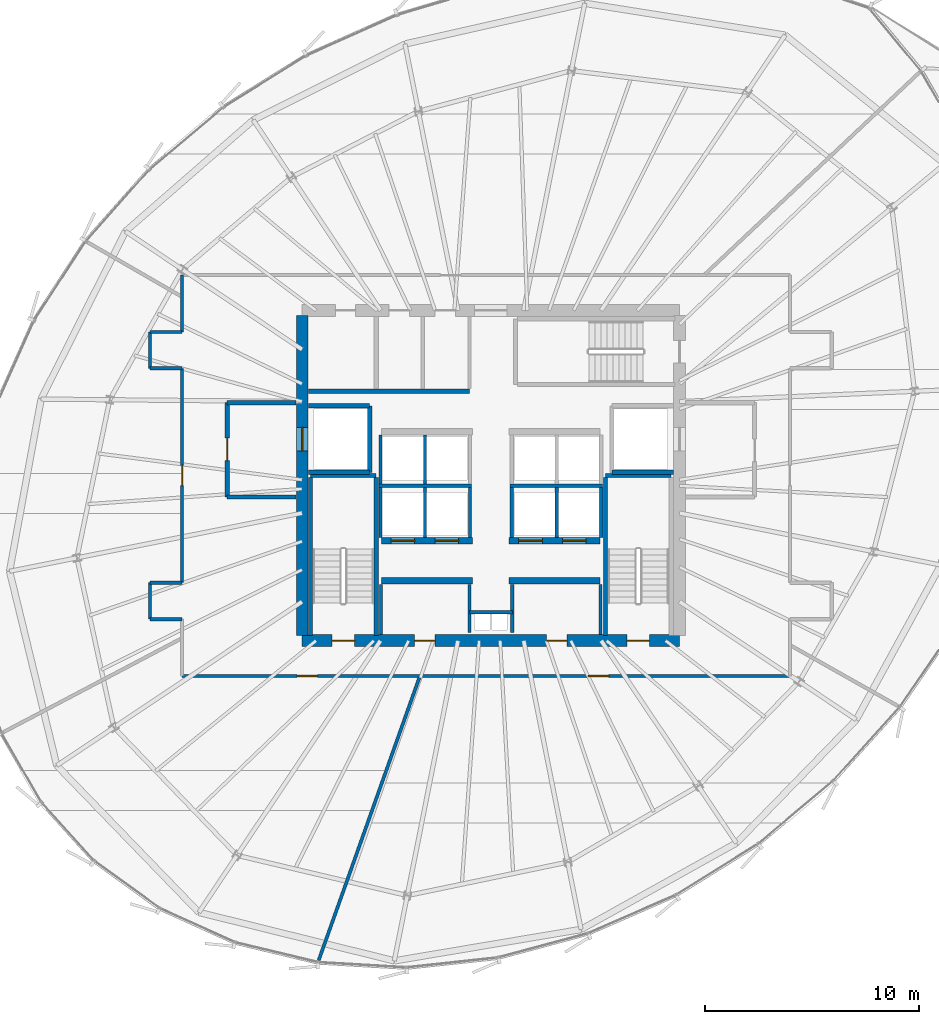
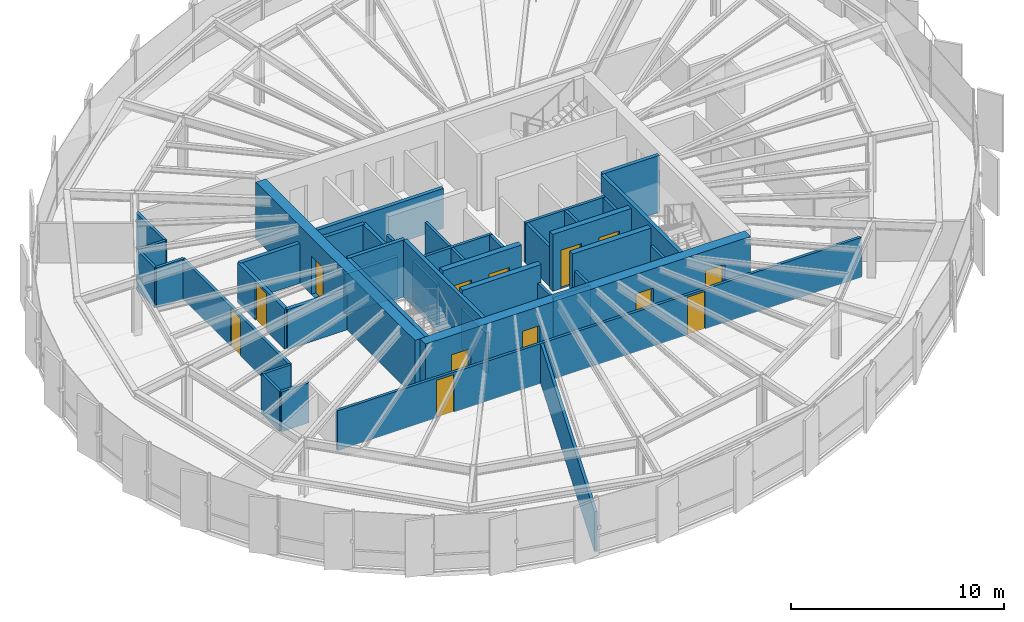
# One storey, part 30 of 35: 44 walls, 13 doors, 13 openings.
"""IFC4 building model written with IfcOpenShell, lengths in metres."""

from ifc_helpers import new_model, si_unit, direction, frame, frame_2d, origin, place, context, subcontext, project, spatial, rectangle, extrude, source, transform, mapped, material, layer, layer_set, type_object, element, fill, save


model = new_model("IFC4")

# Units and contexts
model_context = context("Model", 3, precision=1e-05, world=origin(), true_north=direction((0.0, 1.0)))
body_context = subcontext(model_context, "Body", "Model", "MODEL_VIEW")
ifc_project = project(units=[si_unit("LENGTHUNIT", "METRE"), si_unit("AREAUNIT", "SQUARE_METRE"), si_unit("VOLUMEUNIT", "CUBIC_METRE"), si_unit("PLANEANGLEUNIT", "RADIAN"), si_unit("MASSUNIT", "GRAM", prefix="KILO"), si_unit("THERMODYNAMICTEMPERATUREUNIT", "KELVIN")], contexts=[model_context])

# Site, building, storey
site_placement = place(None, origin())
site = spatial("IfcSite", under=ifc_project, at=site_placement, CompositionType="ELEMENT")
building_placement = place(site_placement, origin())
building = spatial("IfcBuilding", under=site, at=building_placement, Name="Kethvar Cultural Tower", CompositionType="ELEMENT")
storey_placement = place(building_placement, frame((0.0, 0.0, 179.89990234375)))
storey = spatial("IfcBuildingStorey", under=building, at=storey_placement, Name="L46", CompositionType="ELEMENT", Elevation=179.89990234375)

# Wall, openings, doors
ifc_material_1 = material(Name="Concrete C60/75", Category="concrete")
ifc_layer_1 = layer(ifc_material_1, 0.550048828125, Name="Concrete C60/75", Category="concrete")
ifc_layer_set_1 = layer_set([ifc_layer_1], Name="Concrete C60/75 (550 mm)")
wall_type_1 = type_object("IfcWallType", Name="WL-CORE-550", PredefinedType="SHEAR", material=ifc_layer_set_1)
wall_1_placement = place(storey_placement, frame((38.0, 20.10009765625, 0.0), z_axis=(0.0, 0.0, 1.0), x_axis=(1.0, 0.0, 0.0)))
wall_1 = element("IfcWall", 1, at=wall_1_placement, inside=storey, type_object=wall_type_1, Name="L46 Core Shear Wall S", PredefinedType="SHEAR", context=body_context, shape_type="SweptSolid", body=[
    extrude(rectangle(XDim=17.60009765625, YDim=0.550048828125, at=frame_2d((8.800048828125, 0.0))), origin(), (0.0, 0.0, 1.0), 3.260009765625),
])
opening_1_placement = place(wall_1_placement, frame((1.39990234375, 0.0, 0.0)))
opening_1 = element("IfcOpeningElement", 2, at=opening_1_placement, cuts=wall_1, Name="Opening D-L46-S1", PredefinedType="OPENING", context=body_context, shape_type="SweptSolid", body=[
    extrude(rectangle(XDim=1.050048828125, YDim=2.14990234375, at=frame_2d((0.52490234375, 1.074951171875))), frame((0.0, 0.284912109375, 0.0), z_axis=(0.0, -1.0, 0.0), x_axis=(1.0, 0.0, 0.0)), (0.0, 0.0, 1.0), 0.570068359375),
])
opening_2_placement = place(wall_1_placement, frame((15.14990234375, 0.0, 0.0)))
opening_2 = element("IfcOpeningElement", 3, at=opening_2_placement, cuts=wall_1, Name="Opening D-L46-ST2", PredefinedType="OPENING", context=body_context, shape_type="SweptSolid", body=[
    extrude(rectangle(XDim=1.050048828125, YDim=2.14990234375, at=frame_2d((0.52490234375, 1.074951171875))), frame((0.0, 0.284912109375, 0.0), z_axis=(0.0, -1.0, 0.0), x_axis=(1.0, 0.0, 0.0)), (0.0, 0.0, 1.0), 0.570068359375),
])
opening_3_placement = place(wall_1_placement, frame((5.25, 0.0, 0.0)))
opening_3 = element("IfcOpeningElement", 4, at=opening_3_placement, cuts=wall_1, Name="Opening D-L46-V1", PredefinedType="OPENING", context=body_context, shape_type="SweptSolid", body=[
    extrude(rectangle(XDim=0.949951171875, YDim=2.14990234375, at=frame_2d((0.47509765625, 1.074951171875))), frame((0.0, 0.284912109375, 0.0), z_axis=(0.0, -1.0, 0.0), x_axis=(1.0, 0.0, 0.0)), (0.0, 0.0, 1.0), 0.570068359375),
])
opening_4_placement = place(wall_1_placement, frame((11.39990234375, 0.0, 0.0)))
opening_4 = element("IfcOpeningElement", 5, at=opening_4_placement, cuts=wall_1, Name="Opening D-L46-V2", PredefinedType="OPENING", context=body_context, shape_type="SweptSolid", body=[
    extrude(rectangle(XDim=0.949951171875, YDim=2.14990234375, at=frame_2d((0.47509765625, 1.074951171875))), frame((0.0, 0.284912109375, 0.0), z_axis=(0.0, -1.0, 0.0), x_axis=(1.0, 0.0, 0.0)), (0.0, 0.0, 1.0), 0.570068359375),
])
ifc_material_2 = material(Name="Steel S355J2", Category="steel")
door_type_1 = type_object("IfcDoorType", Name="DR-FD60-1050", OperationType="NOTDEFINED", PredefinedType="DOOR", material=ifc_material_2)
shared_shape_1 = source(origin(), body_context, "Body", "SweptSolid", [
    extrude(rectangle(XDim=1.050048828125, YDim=2.14990234375, at=frame_2d((0.52490234375, 1.074951171875))), frame((0.0, 0.02490234375, 0.0), z_axis=(0.0, -1.0, 0.0), x_axis=(1.0, 0.0, 0.0)), (0.0, 0.0, 1.0), 0.050048828125),
])
door_1_placement = place(opening_1_placement, origin())
door_1 = element("IfcDoor", 6, at=door_1_placement, inside=storey, type_object=door_type_1, Name="L46 Exit Stair 1 Door", OperationType="SINGLE_SWING_LEFT", OverallHeight=2.14990234375, OverallWidth=1.050048828125, PredefinedType="DOOR", context=body_context, shape_type="MappedRepresentation", body=[
    mapped(shared_shape_1, transform((0.0, 0.0, 0.0), scale=1.0)),
])
fill(opening_1, door_1)
door_2_placement = place(opening_2_placement, origin())
door_2 = element("IfcDoor", 7, at=door_2_placement, inside=storey, type_object=door_type_1, Name="L46 Exit Stair 2 Door", OperationType="SINGLE_SWING_RIGHT", OverallHeight=2.14990234375, OverallWidth=1.050048828125, PredefinedType="DOOR", context=body_context, shape_type="MappedRepresentation", body=[
    mapped(shared_shape_1, transform((0.0, 0.0, 0.0), scale=1.0)),
])
fill(opening_2, door_2)
ifc_material_3 = material(Name="Architectural Oak Timber", Category="wood")
door_type_2 = type_object("IfcDoorType", Name="DR-FD30-950", OperationType="NOTDEFINED", PredefinedType="DOOR", material=ifc_material_3)
shared_shape_2 = source(origin(), body_context, "Body", "SweptSolid", [
    extrude(rectangle(XDim=0.949951171875, YDim=2.14990234375, at=frame_2d((0.47509765625, 1.074951171875))), frame((0.0, 0.02490234375, 0.0), z_axis=(0.0, -1.0, 0.0), x_axis=(1.0, 0.0, 0.0)), (0.0, 0.0, 1.0), 0.050048828125),
])
door_3_placement = place(opening_3_placement, origin())
door_3 = element("IfcDoor", 8, at=door_3_placement, inside=storey, type_object=door_type_2, Name="L46 Reclaimed West Room Door", OperationType="SINGLE_SWING_LEFT", OverallHeight=2.14990234375, OverallWidth=0.949951171875, PredefinedType="DOOR", context=body_context, shape_type="MappedRepresentation", body=[
    mapped(shared_shape_2, transform((0.0, 0.0, 0.0), scale=1.0)),
])
fill(opening_3, door_3)
door_4_placement = place(opening_4_placement, origin())
door_4 = element("IfcDoor", 9, at=door_4_placement, inside=storey, type_object=door_type_2, Name="L46 Reclaimed East Room Door", OperationType="SINGLE_SWING_RIGHT", OverallHeight=2.14990234375, OverallWidth=0.949951171875, PredefinedType="DOOR", context=body_context, shape_type="MappedRepresentation", body=[
    mapped(shared_shape_2, transform((0.0, 0.0, 0.0), scale=1.0)),
])
fill(opening_4, door_4)

# Wall, opening, door
wall_2_placement = place(storey_placement, frame((38.0, 35.260009765625, 0.0), z_axis=(0.0, 0.0, 1.0), x_axis=(0.0, -1.0, 0.0)))
wall_2 = element("IfcWall", 10, at=wall_2_placement, inside=storey, type_object=wall_type_1, Name="L46 Core Shear Wall W", PredefinedType="SHEAR", context=body_context, shape_type="SweptSolid", body=[
    extrude(rectangle(XDim=14.919921875, YDim=0.550048828125, at=frame_2d((7.4599609375, 0.0))), origin(), (0.0, 0.0, 1.0), 3.260009765625),
])
opening_5_placement = place(wall_2_placement, frame((5.2099609375, 0.0, 0.0)))
opening_5 = element("IfcOpeningElement", 11, at=opening_5_placement, cuts=wall_2, Name="Opening LD-1", PredefinedType="OPENING", context=body_context, shape_type="SweptSolid", body=[
    extrude(rectangle(XDim=1.10009765625, YDim=2.199951171875, at=frame_2d((0.550048828125, 1.10009765625))), frame((0.0, 0.284912109375, 0.0), z_axis=(0.0, -1.0, 0.0), x_axis=(1.0, 0.0, 0.0)), (0.0, 0.0, 1.0), 0.570068359375),
])
door_type_3 = type_object("IfcDoorType", Name="DR-LIFT-SLIDE-1100", OperationType="NOTDEFINED", PredefinedType="DOOR", material=ifc_material_2)
shared_shape_3 = source(origin(), body_context, "Body", "SweptSolid", [
    extrude(rectangle(XDim=1.10009765625, YDim=2.199951171875, at=frame_2d((0.550048828125, 1.10009765625))), frame((0.0, 0.02490234375, 0.0), z_axis=(0.0, -1.0, 0.0), x_axis=(1.0, 0.0, 0.0)), (0.0, 0.0, 1.0), 0.050048828125),
])
door_5_placement = place(opening_5_placement, origin())
door_5 = element("IfcDoor", 12, at=door_5_placement, inside=storey, type_object=door_type_3, Name="L46 Firefighting Lift Landing Door FFL-01", OperationType="SLIDING_TO_LEFT", OverallHeight=2.199951171875, OverallWidth=1.10009765625, PredefinedType="DOOR", context=body_context, shape_type="MappedRepresentation", body=[
    mapped(shared_shape_3, transform((0.0, 0.0, 0.0), scale=1.0)),
])
fill(opening_5, door_5)

# Walls
ifc_material_4 = material(Name="Gypsum Fireboard Partition")
ifc_layer_2 = layer(ifc_material_4, 0.14990234375, Name="Gypsum Fireboard Partition")
ifc_layer_set_2 = layer_set([ifc_layer_2], Name="Gypsum Fireboard Partition (150 mm)")
wall_type_2 = type_object("IfcWallType", Name="WL-FIRE-150", PredefinedType="PARTITIONING", material=ifc_layer_set_2)
wall_3_placement = place(storey_placement, frame((45.800048828125, 21.419921875, 0.0), z_axis=(0.0, 0.0, 1.0), x_axis=(1.0, 0.0, 0.0)))
element("IfcWall", 13, at=wall_3_placement, inside=storey, type_object=wall_type_2, Name="L46 Core Riser Wall", PredefinedType="PARTITIONING", context=body_context, shape_type="SweptSolid", body=[
    extrude(rectangle(XDim=2.0, YDim=0.14990234375, at=frame_2d((1.0, 0.0))), origin(), (0.0, 0.0, 1.0), 2.280029296875),
])
for number, where, z_axis, x_axis, name in (
    (14, (45.800048828125, 20.47998046875, 0.0), (0.0, 0.0, 1.0), (0.0, 1.0, 0.0), "L46 Core Riser West Wall"),
    (15, (47.800048828125, 20.47998046875, 0.0), (0.0, 0.0, 1.0), (0.0, 1.0, 0.0), "L46 Core Riser East Wall"),
):
    element("IfcWall", number, at=place(storey_placement, frame(where, z_axis=z_axis, x_axis=x_axis)), inside=storey, type_object=wall_type_2, Name=name, PredefinedType="PARTITIONING", context=body_context, shape_type="SweptSolid", body=[
        extrude(rectangle(XDim=2.239990234375, YDim=0.14990234375, at=frame_2d((1.1201171875, 0.0))), origin(), (0.0, 0.0, 1.0), 2.280029296875),
    ])
for number, where, z_axis, x_axis, name in (
    (16, (41.679931640625, 20.385009765625, 0.0), (0.0, 0.0, 1.0), (0.0, 1.0, 0.0), "L46 Reclaimed West Outer Wall"),
    (17, (51.919921875, 20.385009765625, 0.0), (0.0, 0.0, 1.0), (0.0, 1.0, 0.0), "L46 Reclaimed East Outer Wall"),
):
    element("IfcWall", number, at=place(storey_placement, frame(where, z_axis=z_axis, x_axis=x_axis)), inside=storey, type_object=wall_type_2, Name=name, PredefinedType="PARTITIONING", context=body_context, shape_type="SweptSolid", body=[
        extrude(rectangle(XDim=2.344970703125, YDim=0.14990234375, at=frame_2d((1.17236328125, 0.0))), origin(), (0.0, 0.0, 1.0), 2.280029296875),
    ])
wall_4_placement = place(storey_placement, frame((41.580078125, 27.324951171875, 0.0), z_axis=(0.0, 0.0, 1.0), x_axis=(1.0, 0.0, 0.0)))
element("IfcWall", 18, at=wall_4_placement, inside=storey, type_object=wall_type_2, Name="L46 Mid-High Lift Shaft Back Wall W", PredefinedType="PARTITIONING", context=body_context, shape_type="SweptSolid", body=[
    extrude(rectangle(XDim=4.31982421875, YDim=0.14990234375, at=frame_2d((2.159912109375, 0.0))), origin(), (0.0, 0.0, 1.0), 2.280029296875),
])
wall_5_placement = place(storey_placement, frame((47.699951171875, 27.324951171875, 0.0), z_axis=(0.0, 0.0, 1.0), x_axis=(1.0, 0.0, 0.0)))
element("IfcWall", 19, at=wall_5_placement, inside=storey, type_object=wall_type_2, Name="L46 Mid-High Lift Shaft Back Wall E", PredefinedType="PARTITIONING", context=body_context, shape_type="SweptSolid", body=[
    extrude(rectangle(XDim=4.320068359375, YDim=0.14990234375, at=frame_2d((2.16015625, 0.0))), origin(), (0.0, 0.0, 1.0), 2.280029296875),
])
for number, where, z_axis, x_axis, name in (
    (20, (41.64990234375, 24.919921875, 0.0), (0.0, 0.0, 1.0), (0.0, 1.0, 0.0), "L46 Mid-Rise Lift Shaft Outer Wall W"),
    (21, (43.72509765625, 24.919921875, 0.0), (0.0, 0.0, 1.0), (0.0, 1.0, 0.0), "L46 Mid-Rise Lift Shaft Divider W"),
    (22, (45.824951171875, 24.919921875, 0.0), (0.0, 0.0, 1.0), (0.0, 1.0, 0.0), "L46 Mid-Rise Lift Shaft Concourse Wall W"),
    (23, (47.77490234375, 24.919921875, 0.0), (0.0, 0.0, 1.0), (0.0, 1.0, 0.0), "L46 Mid-Rise Lift Shaft Concourse Wall E"),
    (24, (49.875, 24.919921875, 0.0), (0.0, 0.0, 1.0), (0.0, 1.0, 0.0), "L46 Mid-Rise Lift Shaft Divider E"),
    (25, (51.949951171875, 24.919921875, 0.0), (0.0, 0.0, 1.0), (0.0, 1.0, 0.0), "L46 Mid-Rise Lift Shaft Outer Wall E"),
):
    element("IfcWall", number, at=place(storey_placement, frame(where, z_axis=z_axis, x_axis=x_axis)), inside=storey, type_object=wall_type_2, Name=name, PredefinedType="PARTITIONING", context=body_context, shape_type="SweptSolid", body=[
        extrude(rectangle(XDim=2.320068359375, YDim=0.14990234375, at=frame_2d((1.16015625, 0.0))), origin(), (0.0, 0.0, 1.0), 2.280029296875),
    ])
for number, where, z_axis, x_axis, name in (
    (26, (41.64990234375, 27.409912109375, 0.0), (0.0, 0.0, 1.0), (0.0, 1.0, 0.0), "L46 High-Rise Lift Shaft Outer Wall W"),
    (27, (43.72509765625, 27.409912109375, 0.0), (0.0, 0.0, 1.0), (0.0, 1.0, 0.0), "L46 High-Rise Lift Shaft Divider W"),
):
    element("IfcWall", number, at=place(storey_placement, frame(where, z_axis=z_axis, x_axis=x_axis)), inside=storey, type_object=wall_type_2, Name=name, PredefinedType="PARTITIONING", context=body_context, shape_type="SweptSolid", body=[
        extrude(rectangle(XDim=2.27001953125, YDim=0.14990234375, at=frame_2d((1.135009765625, 0.0))), origin(), (0.0, 0.0, 1.0), 2.280029296875),
    ])

# Wall, openings, doors
wall_6_placement = place(storey_placement, frame((32.39990234375, 18.449951171875, 0.0), z_axis=(0.0, 0.0, 1.0), x_axis=(1.0, 0.0, 0.0)))
wall_6 = element("IfcWall", 28, at=wall_6_placement, inside=storey, type_object=wall_type_2, Name="L46 Corridor Rated Wall S", PredefinedType="PARTITIONING", context=body_context, shape_type="SweptSolid", body=[
    extrude(rectangle(XDim=28.35009765625, YDim=0.14990234375, at=frame_2d((14.175048828125, 0.0))), origin(), (0.0, 0.0, 1.0), 2.280029296875),
])
opening_6_placement = place(wall_6_placement, frame((5.361572265625, 0.0, 0.0)))
opening_6 = element("IfcOpeningElement", 29, at=opening_6_placement, cuts=wall_6, Name="Opening D-L46-01", PredefinedType="OPENING", context=body_context, shape_type="SweptSolid", body=[
    extrude(rectangle(XDim=0.949951171875, YDim=2.14990234375, at=frame_2d((0.47509765625, 1.074951171875))), frame((0.0, 0.0849609375, 0.0), z_axis=(0.0, -1.0, 0.0), x_axis=(1.0, 0.0, 0.0)), (0.0, 0.0, 1.0), 0.169921875),
])
opening_7_placement = place(wall_6_placement, frame((18.947998046875, 0.0, 0.0)))
opening_7 = element("IfcOpeningElement", 30, at=opening_7_placement, cuts=wall_6, Name="Opening D-L46-02", PredefinedType="OPENING", context=body_context, shape_type="SweptSolid", body=[
    extrude(rectangle(XDim=0.949951171875, YDim=2.14990234375, at=frame_2d((0.47509765625, 1.074951171875))), frame((0.0, 0.0849609375, 0.0), z_axis=(0.0, -1.0, 0.0), x_axis=(1.0, 0.0, 0.0)), (0.0, 0.0, 1.0), 0.169921875),
])
door_6_placement = place(opening_6_placement, origin())
door_6 = element("IfcDoor", 31, at=door_6_placement, inside=storey, type_object=door_type_2, Name="L46 Sculpture Media Salon 01 Door", OperationType="SINGLE_SWING_LEFT", OverallHeight=2.14990234375, OverallWidth=0.949951171875, PredefinedType="DOOR", context=body_context, shape_type="MappedRepresentation", body=[
    mapped(shared_shape_2, transform((0.0, 0.0, 0.0), scale=1.0)),
])
fill(opening_6, door_6)
door_7_placement = place(opening_7_placement, origin())
door_7 = element("IfcDoor", 32, at=door_7_placement, inside=storey, type_object=door_type_2, Name="L46 Design Review Boardroom 02 Door", OperationType="SINGLE_SWING_RIGHT", OverallHeight=2.14990234375, OverallWidth=0.949951171875, PredefinedType="DOOR", context=body_context, shape_type="MappedRepresentation", body=[
    mapped(shared_shape_2, transform((0.0, 0.0, 0.0), scale=1.0)),
])
fill(opening_7, door_7)

# Walls
wall_7_placement = place(storey_placement, frame((32.39990234375, 37.14990234375, 0.0), z_axis=(0.0, 0.0, 1.0), x_axis=(0.0, -1.0, 0.0)))
element("IfcWall", 33, at=wall_7_placement, inside=storey, type_object=wall_type_2, Name="L46 Corridor Rated Wall W2", PredefinedType="PARTITIONING", context=body_context, shape_type="SweptSolid", body=[
    extrude(rectangle(XDim=2.64990234375, YDim=0.14990234375, at=frame_2d((1.324951171875, 0.0))), origin(), (0.0, 0.0, 1.0), 2.280029296875),
])
wall_8_placement = place(storey_placement, frame((32.39990234375, 34.5, 0.0), z_axis=(0.0, 0.0, 1.0), x_axis=(-1.0, 0.0, 0.0)))
element("IfcWall", 34, at=wall_8_placement, inside=storey, type_object=wall_type_2, Name="L46 Corridor Rated Wall WNT", PredefinedType="PARTITIONING", context=body_context, shape_type="SweptSolid", body=[
    extrude(rectangle(XDim=1.5, YDim=0.14990234375, at=frame_2d((0.75, 0.0))), origin(), (0.0, 0.0, 1.0), 2.280029296875),
])
wall_9_placement = place(storey_placement, frame((30.89990234375, 34.5, 0.0), z_axis=(0.0, 0.0, 1.0), x_axis=(0.0, -1.0, 0.0)))
element("IfcWall", 35, at=wall_9_placement, inside=storey, type_object=wall_type_2, Name="L46 Corridor Rated Wall WN", PredefinedType="PARTITIONING", context=body_context, shape_type="SweptSolid", body=[
    extrude(rectangle(XDim=1.699951171875, YDim=0.14990234375, at=frame_2d((0.85009765625, 0.0))), origin(), (0.0, 0.0, 1.0), 2.280029296875),
])
wall_10_placement = place(storey_placement, frame((30.89990234375, 32.800048828125, 0.0), z_axis=(0.0, 0.0, 1.0), x_axis=(1.0, 0.0, 0.0)))
element("IfcWall", 36, at=wall_10_placement, inside=storey, type_object=wall_type_2, Name="L46 Corridor Rated Wall WNB", PredefinedType="PARTITIONING", context=body_context, shape_type="SweptSolid", body=[
    extrude(rectangle(XDim=1.5, YDim=0.14990234375, at=frame_2d((0.75, 0.0))), origin(), (0.0, 0.0, 1.0), 2.280029296875),
])

# Wall, opening, door
wall_11_placement = place(storey_placement, frame((32.39990234375, 32.800048828125, 0.0), z_axis=(0.0, 0.0, 1.0), x_axis=(0.0, -1.0, 0.0)))
wall_11 = element("IfcWall", 37, at=wall_11_placement, inside=storey, type_object=wall_type_2, Name="L46 Corridor Rated Wall WM", PredefinedType="PARTITIONING", context=body_context, shape_type="SweptSolid", body=[
    extrude(rectangle(XDim=10.0, YDim=0.14990234375, at=frame_2d((5.0, 0.0))), origin(), (0.0, 0.0, 1.0), 2.280029296875),
])
opening_8_placement = place(wall_11_placement, frame((4.52490234375, 0.0, 0.0)))
opening_8 = element("IfcOpeningElement", 38, at=opening_8_placement, cuts=wall_11, Name="Opening D-L46-05", PredefinedType="OPENING", context=body_context, shape_type="SweptSolid", body=[
    extrude(rectangle(XDim=0.949951171875, YDim=2.14990234375, at=frame_2d((0.47509765625, 1.074951171875))), frame((0.0, 0.0849609375, 0.0), z_axis=(0.0, -1.0, 0.0), x_axis=(1.0, 0.0, 0.0)), (0.0, 0.0, 1.0), 0.169921875),
])
door_8_placement = place(opening_8_placement, origin())
door_8 = element("IfcDoor", 39, at=door_8_placement, inside=storey, type_object=door_type_2, Name="L46 Special Collections Storage 05 Door", OperationType="SINGLE_SWING_LEFT", OverallHeight=2.14990234375, OverallWidth=0.949951171875, PredefinedType="DOOR", context=body_context, shape_type="MappedRepresentation", body=[
    mapped(shared_shape_2, transform((0.0, 0.0, 0.0), scale=1.0)),
])
fill(opening_8, door_8)

# Walls
wall_12_placement = place(storey_placement, frame((32.39990234375, 22.800048828125, 0.0), z_axis=(0.0, 0.0, 1.0), x_axis=(-1.0, 0.0, 0.0)))
element("IfcWall", 40, at=wall_12_placement, inside=storey, type_object=wall_type_2, Name="L46 Corridor Rated Wall WST", PredefinedType="PARTITIONING", context=body_context, shape_type="SweptSolid", body=[
    extrude(rectangle(XDim=1.5, YDim=0.14990234375, at=frame_2d((0.75, 0.0))), origin(), (0.0, 0.0, 1.0), 2.280029296875),
])
wall_13_placement = place(storey_placement, frame((30.89990234375, 22.800048828125, 0.0), z_axis=(0.0, 0.0, 1.0), x_axis=(0.0, -1.0, 0.0)))
element("IfcWall", 41, at=wall_13_placement, inside=storey, type_object=wall_type_2, Name="L46 Corridor Rated Wall WS", PredefinedType="PARTITIONING", context=body_context, shape_type="SweptSolid", body=[
    extrude(rectangle(XDim=1.699951171875, YDim=0.14990234375, at=frame_2d((0.85009765625, 0.0))), origin(), (0.0, 0.0, 1.0), 2.280029296875),
])
wall_14_placement = place(storey_placement, frame((30.89990234375, 21.10009765625, 0.0), z_axis=(0.0, 0.0, 1.0), x_axis=(1.0, 0.0, 0.0)))
element("IfcWall", 42, at=wall_14_placement, inside=storey, type_object=wall_type_2, Name="L46 Corridor Rated Wall WSB", PredefinedType="PARTITIONING", context=body_context, shape_type="SweptSolid", body=[
    extrude(rectangle(XDim=1.5, YDim=0.14990234375, at=frame_2d((0.75, 0.0))), origin(), (0.0, 0.0, 1.0), 2.280029296875),
])
ifc_material_5 = material(Name="Concrete C40/50", Category="concrete")
ifc_layer_3 = layer(ifc_material_5, 0.199951171875, Name="Concrete C40/50", Category="concrete")
ifc_layer_set_3 = layer_set([ifc_layer_3], Name="Concrete C40/50 (200 mm)")
wall_type_3 = type_object("IfcWallType", Name="WL-FIRE-200", PredefinedType="PARTITIONING", material=ifc_layer_set_3)
wall_15_placement = place(storey_placement, frame((41.14990234375, 27.949951171875, 0.0), z_axis=(0.0, 0.0, 1.0), x_axis=(0.0, 1.0, 0.0)))
element("IfcWall", 43, at=wall_15_placement, inside=storey, type_object=wall_type_3, Name="L46 FFL-01 Shaft Inner Wall", PredefinedType="PARTITIONING", context=body_context, shape_type="SweptSolid", body=[
    extrude(rectangle(XDim=3.10009765625, YDim=0.199951171875, at=frame_2d((1.550048828125, 0.0))), origin(), (0.0, 0.0, 1.0), 2.280029296875),
])
for number, where, z_axis, x_axis, name in (
    (44, (38.284912109375, 27.949951171875, 0.0), (0.0, 0.0, 1.0), (1.0, 0.0, 0.0), "L46 FFL-01 Shaft South Wall"),
    (45, (38.284912109375, 31.050048828125, 0.0), (0.0, 0.0, 1.0), (1.0, 0.0, 0.0), "L46 FFL-01 Shaft North Wall"),
):
    element("IfcWall", number, at=place(storey_placement, frame(where, z_axis=z_axis, x_axis=x_axis)), inside=storey, type_object=wall_type_3, Name=name, PredefinedType="PARTITIONING", context=body_context, shape_type="SweptSolid", body=[
        extrude(rectangle(XDim=2.864990234375, YDim=0.199951171875, at=frame_2d((1.4326171875, 0.0))), origin(), (0.0, 0.0, 1.0), 2.280029296875),
    ])

# Wall, opening, door
wall_16_placement = place(storey_placement, frame((34.5, 31.199951171875, 0.0), z_axis=(0.0, 0.0, 1.0), x_axis=(0.0, -1.0, 0.0)))
wall_16 = element("IfcWall", 46, at=wall_16_placement, inside=storey, type_object=wall_type_3, Name="L46 Firefighting Lobby 1 Wall", PredefinedType="PARTITIONING", context=body_context, shape_type="SweptSolid", body=[
    extrude(rectangle(XDim=4.39990234375, YDim=0.199951171875, at=frame_2d((2.199951171875, 0.0))), origin(), (0.0, 0.0, 1.0), 2.280029296875),
])
opening_9_placement = place(wall_16_placement, frame((1.64990234375, 0.0, 0.0)))
opening_9 = element("IfcOpeningElement", 47, at=opening_9_placement, cuts=wall_16, Name="Opening D-L46-F1", PredefinedType="OPENING", context=body_context, shape_type="SweptSolid", body=[
    extrude(rectangle(XDim=1.050048828125, YDim=2.14990234375, at=frame_2d((0.52490234375, 1.074951171875))), frame((0.0, 0.10986328125, 0.0), z_axis=(0.0, -1.0, 0.0), x_axis=(1.0, 0.0, 0.0)), (0.0, 0.0, 1.0), 0.219970703125),
])
door_9_placement = place(opening_9_placement, origin())
door_9 = element("IfcDoor", 48, at=door_9_placement, inside=storey, type_object=door_type_1, Name="L46 Firefighting Lobby 1 Fire Door", OperationType="SINGLE_SWING_LEFT", OverallHeight=2.14990234375, OverallWidth=1.050048828125, PredefinedType="DOOR", context=body_context, shape_type="MappedRepresentation", body=[
    mapped(shared_shape_1, transform((0.0, 0.0, 0.0), scale=1.0)),
])
fill(opening_9, door_9)

# Walls
for number, where, z_axis, x_axis, name in (
    (49, (34.5, 26.800048828125, 0.0), (0.0, 0.0, 1.0), (1.0, 0.0, 0.0), "L46 FF Lobby 1 South Wall"),
    (50, (34.5, 31.199951171875, 0.0), (0.0, 0.0, 1.0), (1.0, 0.0, 0.0), "L46 FF Lobby 1 North Wall"),
):
    element("IfcWall", number, at=place(storey_placement, frame(where, z_axis=z_axis, x_axis=x_axis)), inside=storey, type_object=wall_type_3, Name=name, PredefinedType="PARTITIONING", context=body_context, shape_type="SweptSolid", body=[
        extrude(rectangle(XDim=3.215087890625, YDim=0.199951171875, at=frame_2d((1.607421875, 0.0))), origin(), (0.0, 0.0, 1.0), 2.280029296875),
    ])
wall_17_placement = place(storey_placement, frame((52.449951171875, 27.949951171875, 0.0), z_axis=(0.0, 0.0, 1.0), x_axis=(1.0, 0.0, 0.0)))
element("IfcWall", 51, at=wall_17_placement, inside=storey, type_object=wall_type_3, Name="L46 FFL-02 Shaft South Wall", PredefinedType="PARTITIONING", context=body_context, shape_type="SweptSolid", body=[
    extrude(rectangle(XDim=2.864990234375, YDim=0.199951171875, at=frame_2d((1.4326171875, 0.0))), origin(), (0.0, 0.0, 1.0), 2.280029296875),
])
wall_18_placement = place(storey_placement, frame((38.284912109375, 31.72998046875, 0.0), z_axis=(0.0, 0.0, 1.0), x_axis=(1.0, 0.0, 0.0)))
element("IfcWall", 52, at=wall_18_placement, inside=storey, type_object=wall_type_3, Name="L46 North Core Sanitary South Wall", PredefinedType="PARTITIONING", context=body_context, shape_type="SweptSolid", body=[
    extrude(rectangle(XDim=7.51513671875, YDim=0.199951171875, at=frame_2d((3.757568359375, 0.0))), origin(), (0.0, 0.0, 1.0), 2.280029296875),
])
ifc_material_6 = material(Name="Gypsum Acoustic Partition")
ifc_layer_4 = layer(ifc_material_6, 0.14990234375, Name="Gypsum Acoustic Partition")
ifc_layer_set_4 = layer_set([ifc_layer_4], Name="Gypsum Acoustic Partition (150 mm)")
wall_type_4 = type_object("IfcWallType", Name="WL-PART-150", PredefinedType="PARTITIONING", material=ifc_layer_set_4)
wall_19_placement = place(storey_placement, frame((43.46630859375, 18.37451171875, 0.0), z_axis=(0.0, 0.0, 1.0), x_axis=(-0.335449855231, -0.942058063298, 0.0)))
element("IfcWall", 53, at=wall_19_placement, inside=storey, type_object=wall_type_4, Name="L46 Radial Partition Wall 02", PredefinedType="PARTITIONING", context=body_context, shape_type="SweptSolid", body=[
    extrude(rectangle(XDim=13.993408203125, YDim=0.14990234375, at=frame_2d((6.99658203125, 0.0))), origin(), (0.0, 0.0, 1.0), 2.280029296875),
])
ifc_material_7 = material(Name="Concrete C50/60", Category="concrete")
ifc_layer_5 = layer(ifc_material_7, 0.300048828125, Name="Concrete C50/60", Category="concrete")
ifc_layer_set_5 = layer_set([ifc_layer_5], Name="Concrete C50/60 (300 mm)")
wall_type_5 = type_object("IfcWallType", Name="WL-SHAFT-300", PredefinedType="SHEAR", material=ifc_layer_set_5)
for number, where, z_axis, x_axis, name in (
    (54, (41.699951171875, 22.89990234375, 0.0), (0.0, 0.0, 1.0), (1.0, 0.0, 0.0), "L46 Core Lift Spine Wall MID1W"),
    (55, (47.64990234375, 22.89990234375, 0.0), (0.0, 0.0, 1.0), (1.0, 0.0, 0.0), "L46 Core Lift Spine Wall MID1E"),
):
    element("IfcWall", number, at=place(storey_placement, frame(where, z_axis=z_axis, x_axis=x_axis)), inside=storey, type_object=wall_type_5, Name=name, PredefinedType="SHEAR", context=body_context, shape_type="SweptSolid", body=[
        extrude(rectangle(XDim=4.25, YDim=0.300048828125, at=frame_2d((2.125, 0.0))), origin(), (0.0, 0.0, 1.0), 3.260009765625),
    ])

# Wall, openings, doors
wall_20_placement = place(storey_placement, frame((41.699951171875, 24.75, 0.0), z_axis=(0.0, 0.0, 1.0), x_axis=(1.0, 0.0, 0.0)))
wall_20 = element("IfcWall", 56, at=wall_20_placement, inside=storey, type_object=wall_type_5, Name="L46 Core Lift Spine Wall MID2W", PredefinedType="SHEAR", context=body_context, shape_type="SweptSolid", body=[
    extrude(rectangle(XDim=4.25, YDim=0.300048828125, at=frame_2d((2.125, 0.0))), origin(), (0.0, 0.0, 1.0), 3.260009765625),
])
opening_10_placement = place(wall_20_placement, frame((0.449951171875, 0.0, 0.0)))
opening_10 = element("IfcOpeningElement", 57, at=opening_10_placement, cuts=wall_20, Name="Opening LD-M1", PredefinedType="OPENING", context=body_context, shape_type="SweptSolid", body=[
    extrude(rectangle(XDim=1.10009765625, YDim=2.199951171875, at=frame_2d((0.550048828125, 1.10009765625))), frame((0.0, 0.159912109375, 0.0), z_axis=(0.0, -1.0, 0.0), x_axis=(1.0, 0.0, 0.0)), (0.0, 0.0, 1.0), 0.320068359375),
])
opening_11_placement = place(wall_20_placement, frame((2.5, 0.0, 0.0)))
opening_11 = element("IfcOpeningElement", 58, at=opening_11_placement, cuts=wall_20, Name="Opening LD-M2", PredefinedType="OPENING", context=body_context, shape_type="SweptSolid", body=[
    extrude(rectangle(XDim=1.10009765625, YDim=2.199951171875, at=frame_2d((0.550048828125, 1.10009765625))), frame((0.0, 0.159912109375, 0.0), z_axis=(0.0, -1.0, 0.0), x_axis=(1.0, 0.0, 0.0)), (0.0, 0.0, 1.0), 0.320068359375),
])
door_10_placement = place(opening_10_placement, origin())
door_10 = element("IfcDoor", 59, at=door_10_placement, inside=storey, type_object=door_type_3, Name="L46 Mid-Rise Lift Landing Door M1", OperationType="SLIDING_TO_RIGHT", OverallHeight=2.199951171875, OverallWidth=1.10009765625, PredefinedType="DOOR", context=body_context, shape_type="MappedRepresentation", body=[
    mapped(shared_shape_3, transform((0.0, 0.0, 0.0), scale=1.0)),
])
fill(opening_10, door_10)
door_11_placement = place(opening_11_placement, origin())
door_11 = element("IfcDoor", 60, at=door_11_placement, inside=storey, type_object=door_type_3, Name="L46 Mid-Rise Lift Landing Door M2", OperationType="SLIDING_TO_RIGHT", OverallHeight=2.199951171875, OverallWidth=1.10009765625, PredefinedType="DOOR", context=body_context, shape_type="MappedRepresentation", body=[
    mapped(shared_shape_3, transform((0.0, 0.0, 0.0), scale=1.0)),
])
fill(opening_11, door_11)

wall_21_placement = place(storey_placement, frame((47.64990234375, 24.75, 0.0), z_axis=(0.0, 0.0, 1.0), x_axis=(1.0, 0.0, 0.0)))
wall_21 = element("IfcWall", 61, at=wall_21_placement, inside=storey, type_object=wall_type_5, Name="L46 Core Lift Spine Wall MID2E", PredefinedType="SHEAR", context=body_context, shape_type="SweptSolid", body=[
    extrude(rectangle(XDim=4.25, YDim=0.300048828125, at=frame_2d((2.125, 0.0))), origin(), (0.0, 0.0, 1.0), 3.260009765625),
])
opening_12_placement = place(wall_21_placement, frame((0.449951171875, 0.0, 0.0)))
opening_12 = element("IfcOpeningElement", 62, at=opening_12_placement, cuts=wall_21, Name="Opening LD-M3", PredefinedType="OPENING", context=body_context, shape_type="SweptSolid", body=[
    extrude(rectangle(XDim=1.10009765625, YDim=2.199951171875, at=frame_2d((0.550048828125, 1.10009765625))), frame((0.0, 0.159912109375, 0.0), z_axis=(0.0, -1.0, 0.0), x_axis=(1.0, 0.0, 0.0)), (0.0, 0.0, 1.0), 0.320068359375),
])
opening_13_placement = place(wall_21_placement, frame((2.5, 0.0, 0.0)))
opening_13 = element("IfcOpeningElement", 63, at=opening_13_placement, cuts=wall_21, Name="Opening LD-M4", PredefinedType="OPENING", context=body_context, shape_type="SweptSolid", body=[
    extrude(rectangle(XDim=1.10009765625, YDim=2.199951171875, at=frame_2d((0.550048828125, 1.10009765625))), frame((0.0, 0.159912109375, 0.0), z_axis=(0.0, -1.0, 0.0), x_axis=(1.0, 0.0, 0.0)), (0.0, 0.0, 1.0), 0.320068359375),
])
door_12_placement = place(opening_12_placement, origin())
door_12 = element("IfcDoor", 64, at=door_12_placement, inside=storey, type_object=door_type_3, Name="L46 Mid-Rise Lift Landing Door M3", OperationType="SLIDING_TO_RIGHT", OverallHeight=2.199951171875, OverallWidth=1.10009765625, PredefinedType="DOOR", context=body_context, shape_type="MappedRepresentation", body=[
    mapped(shared_shape_3, transform((0.0, 0.0, 0.0), scale=1.0)),
])
fill(opening_12, door_12)
door_13_placement = place(opening_13_placement, origin())
door_13 = element("IfcDoor", 65, at=door_13_placement, inside=storey, type_object=door_type_3, Name="L46 Mid-Rise Lift Landing Door M4", OperationType="SLIDING_TO_RIGHT", OverallHeight=2.199951171875, OverallWidth=1.10009765625, PredefinedType="DOOR", context=body_context, shape_type="MappedRepresentation", body=[
    mapped(shared_shape_3, transform((0.0, 0.0, 0.0), scale=1.0)),
])
fill(opening_13, door_13)

# Walls
ifc_layer_6 = layer(ifc_material_7, 0.199951171875, Name="Concrete C50/60", Category="concrete")
ifc_layer_set_6 = layer_set([ifc_layer_6], Name="Concrete C50/60 (200 mm)")
wall_type_6 = type_object("IfcWallType", Name="WL-STSHAFT-200", PredefinedType="SHEAR", material=ifc_layer_set_6)
wall_22_placement = place(storey_placement, frame((38.389892578125, 27.800048828125, 0.0), z_axis=(0.0, 0.0, 1.0), x_axis=(1.0, 0.0, 0.0)))
element("IfcWall", 66, at=wall_22_placement, inside=storey, type_object=wall_type_6, Name="L46 ST-01 Stair Shaft Wall FAR", PredefinedType="SHEAR", context=body_context, shape_type="SweptSolid", body=[
    extrude(rectangle(XDim=3.06005859375, YDim=0.199951171875, at=frame_2d((1.530029296875, 0.0))), origin(), (0.0, 0.0, 1.0), 3.260009765625),
])
for number, where, z_axis, x_axis, name in (
    (67, (41.449951171875, 27.699951171875, 0.0), (0.0, 0.0, 1.0), (0.0, -1.0, 0.0), "L46 ST-01 Stair Shaft Wall LEFT"),
    (68, (38.389892578125, 20.35009765625, 0.0), (0.0, 0.0, 1.0), (0.0, 1.0, 0.0), "L46 ST-01 Stair Shaft Wall RIGHT"),
):
    element("IfcWall", number, at=place(storey_placement, frame(where, z_axis=z_axis, x_axis=x_axis)), inside=storey, type_object=wall_type_6, Name=name, PredefinedType="SHEAR", context=body_context, shape_type="SweptSolid", body=[
        extrude(rectangle(XDim=7.349853515625, YDim=0.199951171875, at=frame_2d((3.6748046875, 0.0))), origin(), (0.0, 0.0, 1.0), 3.260009765625),
    ])
wall_23_placement = place(storey_placement, frame((52.14990234375, 27.800048828125, 0.0), z_axis=(0.0, 0.0, 1.0), x_axis=(1.0, 0.0, 0.0)))
element("IfcWall", 69, at=wall_23_placement, inside=storey, type_object=wall_type_6, Name="L46 ST-02 Stair Shaft Wall FAR", PredefinedType="SHEAR", context=body_context, shape_type="SweptSolid", body=[
    extrude(rectangle(XDim=3.06005859375, YDim=0.199951171875, at=frame_2d((1.530029296875, 0.0))), origin(), (0.0, 0.0, 1.0), 3.260009765625),
])
wall_24_placement = place(storey_placement, frame((52.14990234375, 20.35009765625, 0.0), z_axis=(0.0, 0.0, 1.0), x_axis=(0.0, 1.0, 0.0)))
element("IfcWall", 70, at=wall_24_placement, inside=storey, type_object=wall_type_6, Name="L46 ST-02 Stair Shaft Wall RIGHT", PredefinedType="SHEAR", context=body_context, shape_type="SweptSolid", body=[
    extrude(rectangle(XDim=7.349853515625, YDim=0.199951171875, at=frame_2d((3.6748046875, 0.0))), origin(), (0.0, 0.0, 1.0), 3.260009765625),
])

save(model, "model.ifc")
